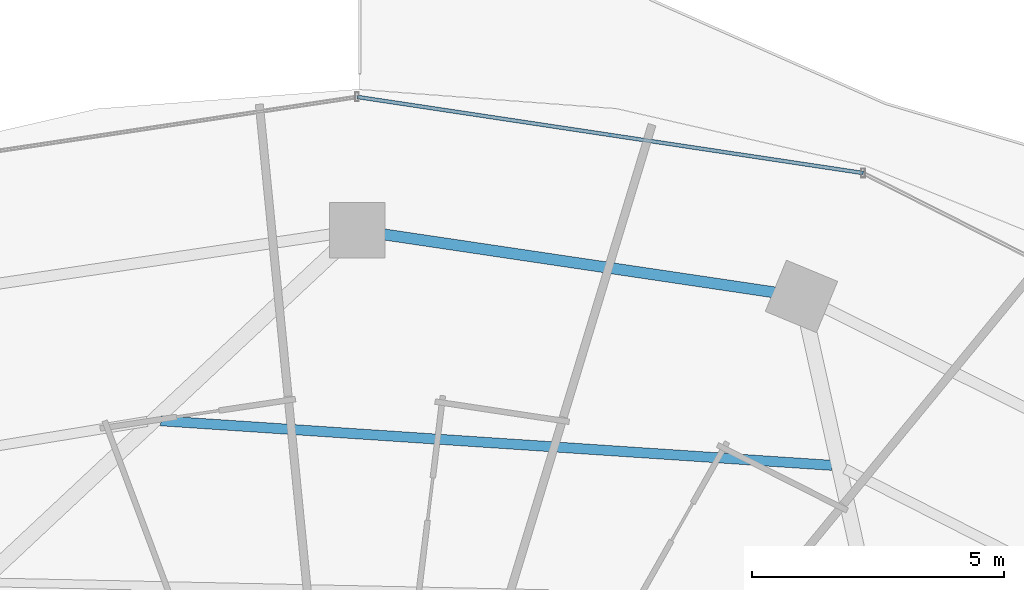
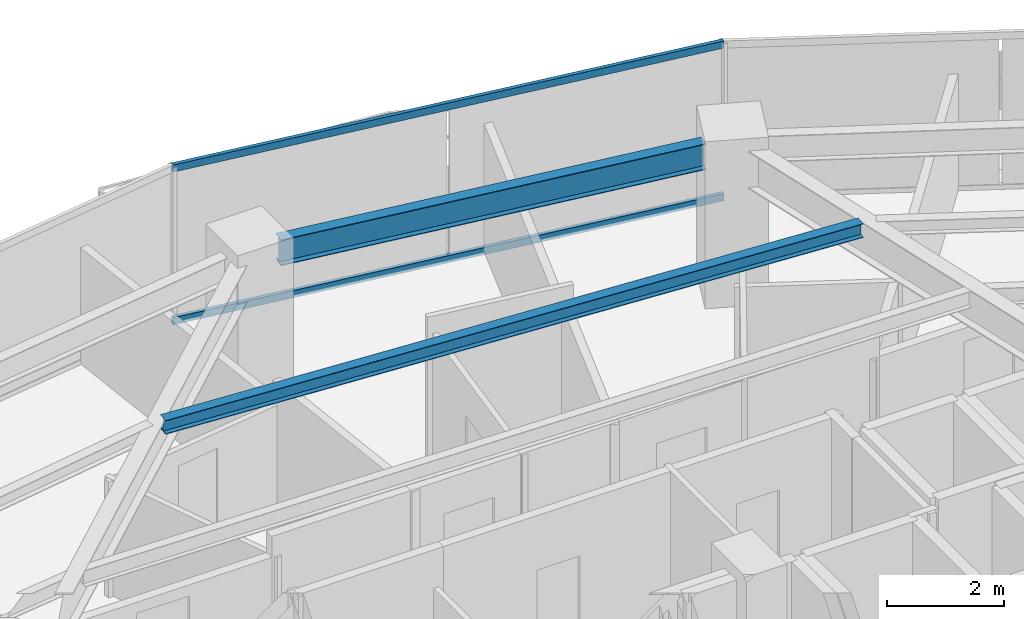
# One storey, part 18 of 29: 2 beams, 2 members, 1 element without a shape of its own.
"""IFC4 building model written with IfcOpenShell, lengths in metres."""

from ifc_helpers import new_model, si_unit, direction, frame, origin, origin_2d, place, context, subcontext, project, spatial, hollow_rectangle, i_section, extrude, material, material_profile, profile_set, type_object, element, aggregate, save


model = new_model("IFC4")

# Units and contexts
model_context = context("Model", 3, precision=1e-05, world=origin(), true_north=direction((0.0, 1.0)))
body_context = subcontext(model_context, "Body", "Model", "MODEL_VIEW")
ifc_project = project(units=[si_unit("LENGTHUNIT", "METRE"), si_unit("AREAUNIT", "SQUARE_METRE"), si_unit("VOLUMEUNIT", "CUBIC_METRE"), si_unit("PLANEANGLEUNIT", "RADIAN"), si_unit("MASSUNIT", "GRAM", prefix="KILO")], contexts=[model_context])

# Site, building, storey
site_placement = place(None, origin())
site = spatial("IfcSite", under=ifc_project, at=site_placement, CompositionType="ELEMENT")
building_placement = place(site_placement, origin())
building = spatial("IfcBuilding", under=site, at=building_placement, Name="Vorneva Point Tower", CompositionType="ELEMENT")
storey_placement = place(building_placement, frame((0.0, 0.0, 117.300048828125)))
storey = spatial("IfcBuildingStorey", under=building, at=storey_placement, Name="L31", CompositionType="ELEMENT", Elevation=117.300048828125)

# Beams
ifc_material_1 = material(Name="Steel S355", Category="steel")
ifc_material_profile_1 = material_profile(ifc_material_1, i_section(OverallWidth=0.199951171875, OverallDepth=0.291015625, WebThickness=0.008056640625, FlangeThickness=0.010986328125, at=origin_2d()), Name="30Sh1")
ifc_profile_set_1 = profile_set([ifc_material_profile_1], Name="Steel S355")
beam_type_1 = type_object("IfcBeamType", Name="BM-SEC-30Sh1", PredefinedType="BEAM", material=ifc_profile_set_1)
beam_1_placement = place(storey_placement, frame((47.425537109375, 38.53662109375, 3.094482421875), z_axis=(-0.997801151854, 0.066278664436, 0.0), x_axis=(-0.066278664436, -0.997801151854, 0.0)))
element("IfcBeam", 1, at=beam_1_placement, inside=storey, type_object=beam_type_1, Name="L31 Secondary Floor Beam 1.04", PredefinedType="BEAM", context=body_context, shape_type="SweptSolid", body=[
    extrude(i_section(OverallWidth=0.199951171875, OverallDepth=0.291015625, WebThickness=0.008056640625, FlangeThickness=0.010986328125, at=origin_2d()), origin(), (0.0, 0.0, 1.0), 13.34912109375),
])
ifc_material_profile_2 = material_profile(ifc_material_1, i_section(OverallWidth=0.219970703125, OverallDepth=0.54296875, WebThickness=0.009521484375, FlangeThickness=0.013427734375, at=origin_2d()), Name="55B1")
ifc_profile_set_2 = profile_set([ifc_material_profile_2], Name="Steel S355")
beam_type_2 = type_object("IfcBeamType", Name="BM-SPN-55B1", PredefinedType="SPANDREL", material=ifc_profile_set_2)
beam_2_placement = place(storey_placement, frame((46.291748046875, 41.96923828125, 2.968505859375), z_axis=(-0.989164507783, 0.146811363806, 0.0), x_axis=(-0.146811363806, -0.989164507783, 0.0)))
element("IfcBeam", 2, at=beam_2_placement, inside=storey, type_object=beam_type_2, Name="L31 Perimeter Spandrel Ring Beam 04", PredefinedType="SPANDREL", context=body_context, shape_type="SweptSolid", body=[
    extrude(i_section(OverallWidth=0.219970703125, OverallDepth=0.54296875, WebThickness=0.009521484375, FlangeThickness=0.013427734375, at=origin_2d()), origin(), (0.0, 0.0, 1.0), 7.847412109375),
])

# Curtain wall, members
ifc_material_2 = material(Name="Pale anodised aluminium", Category="aluminium")
curtain_wall_type = type_object("IfcCurtainWallType", Name="CW-HTL-SYS", PredefinedType="NOTDEFINED", material=ifc_material_2)
curtain_wall_placement = place(storey_placement, origin())
curtain_wall = element("IfcCurtainWall", 3, at=curtain_wall_placement, inside=storey, type_object=curtain_wall_type, Name="L31 Unitised Curtain Wall CW-L31-R01", PredefinedType="NOTDEFINED")
ifc_material_profile_3 = material_profile(ifc_material_2, hollow_rectangle(XDim=0.074951171875, YDim=0.14990234375, WallThickness=0.00390625, at=origin_2d()), Name="AL-TRN 150x75x4")
ifc_profile_set_3 = profile_set([ifc_material_profile_3], Name="Pale anodised aluminium")
member_type = type_object("IfcMemberType", Name="CW-TRN-150", PredefinedType="USERDEFINED", material=ifc_profile_set_3)
member_1_placement = place(storey_placement, frame((48.04541015625, 44.339111328125, 0.02001953125), z_axis=(-0.988875982167, 0.148742367512, 0.0), x_axis=(-0.148742367512, -0.988875982167, 0.0)))
member_1 = element("IfcMember", 4, at=member_1_placement, type_object=member_type, Name="CW-L31-R01 Transom 03.1", ObjectType="TRANSOM", PredefinedType="USERDEFINED", context=body_context, shape_type="SweptSolid", body=[
    extrude(hollow_rectangle(XDim=0.074951171875, YDim=0.14990234375, WallThickness=0.00390625, at=origin_2d()), origin(), (0.0, 0.0, 1.0), 10.158447265625),
])
member_2_placement = place(storey_placement, frame((48.04541015625, 44.339111328125, 3.219970703125), z_axis=(-0.988875982167, 0.148742367512, 0.0), x_axis=(-0.148742367512, -0.988875982167, 0.0)))
member_2 = element("IfcMember", 5, at=member_2_placement, type_object=member_type, Name="CW-L31-R01 Transom 03.2", ObjectType="TRANSOM", PredefinedType="USERDEFINED", context=body_context, shape_type="SweptSolid", body=[
    extrude(hollow_rectangle(XDim=0.074951171875, YDim=0.14990234375, WallThickness=0.00390625, at=origin_2d()), origin(), (0.0, 0.0, 1.0), 10.158447265625),
])
aggregate(curtain_wall, [member_1, member_2])

save(model, "model.ifc")
